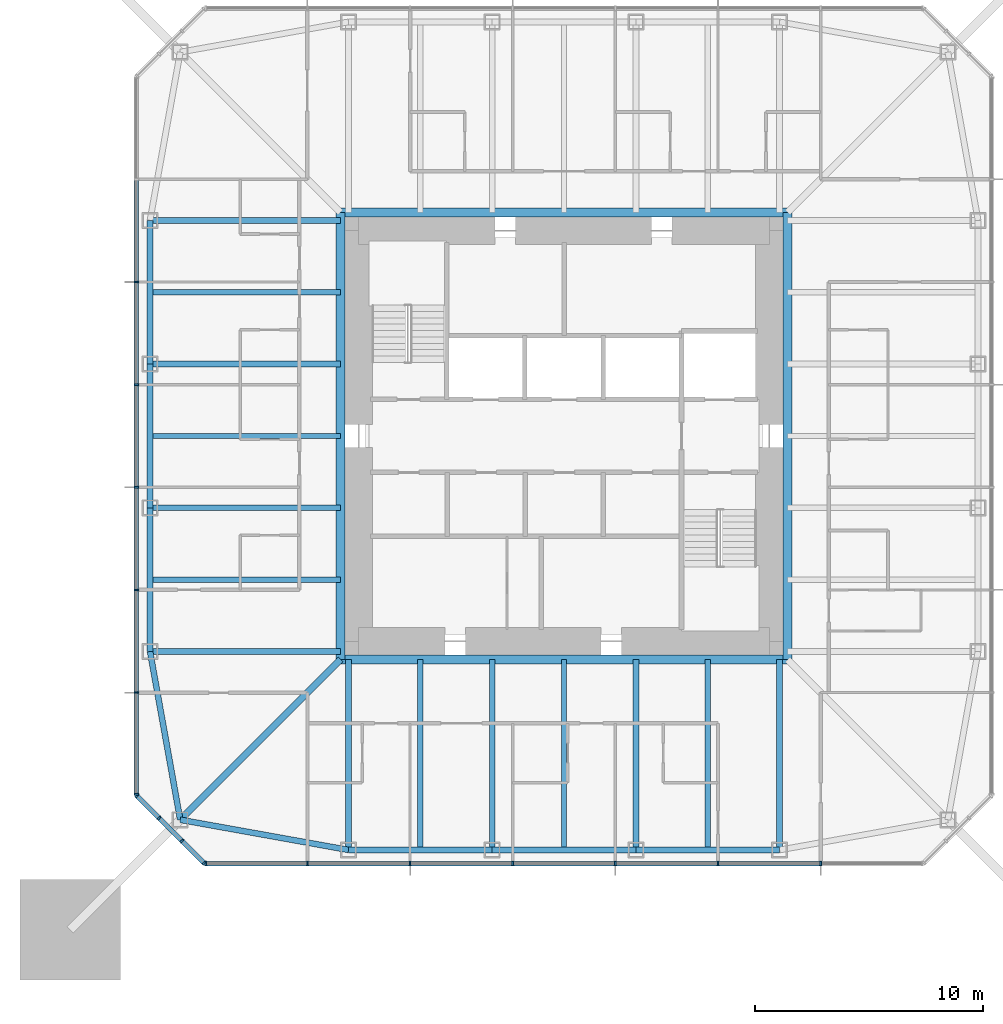
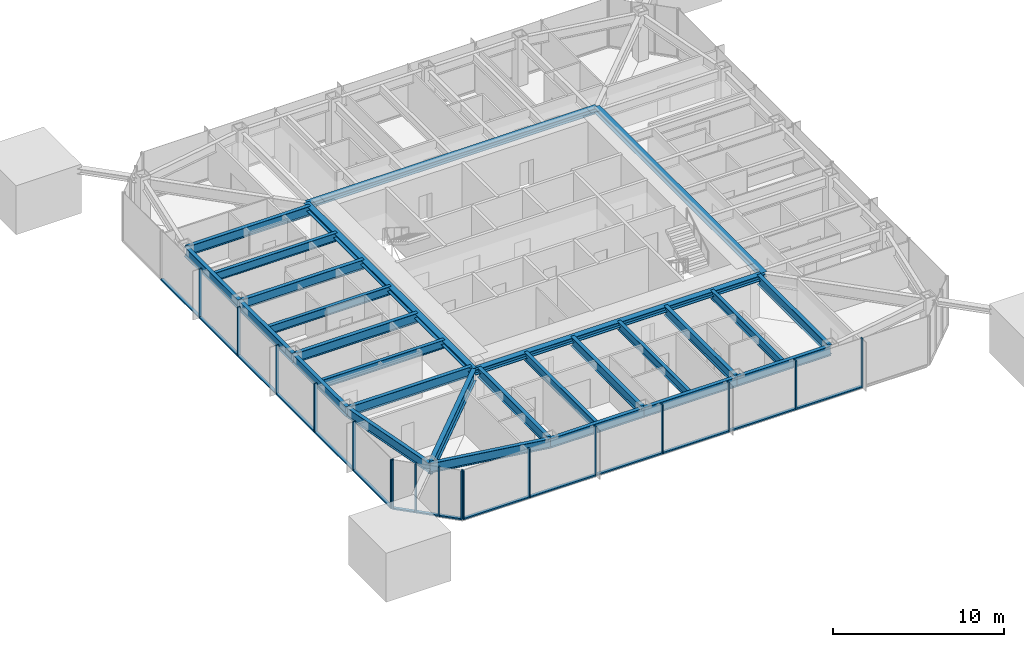
# One storey, part 2 of 11: 32 members, 27 beams, 3 elements without a shape of their own.
"""IFC4 building model written with IfcOpenShell, lengths in metres."""

from ifc_helpers import new_model, si_unit, direction, frame, origin, origin_2d, place, context, subcontext, project, spatial, rectangle, i_section, extrude, material, material_profile, profile_set, type_object, element, aggregate, save


model = new_model("IFC4")

# Units and contexts
model_context = context("Model", 3, precision=1e-05, world=origin(), true_north=direction((0.0, 1.0)))
body_context = subcontext(model_context, "Body", "Model", "MODEL_VIEW")
ifc_project = project(units=[si_unit("LENGTHUNIT", "METRE"), si_unit("AREAUNIT", "SQUARE_METRE"), si_unit("VOLUMEUNIT", "CUBIC_METRE"), si_unit("PLANEANGLEUNIT", "RADIAN"), si_unit("MASSUNIT", "GRAM", prefix="KILO")], contexts=[model_context])

# Site, building, storey
site_placement = place(None, origin())
site = spatial("IfcSite", under=ifc_project, at=site_placement, CompositionType="ELEMENT")
building_placement = place(site_placement, origin())
building = spatial("IfcBuilding", under=site, at=building_placement, Name="Iwan Alto Co-Living Towers", CompositionType="ELEMENT")
storey_placement = place(building_placement, frame((0.0, 0.0, 156.5)))
storey = spatial("IfcBuildingStorey", under=building, at=storey_placement, Name="L42", CompositionType="ELEMENT", Elevation=156.5)

# Curtain wall, members
ifc_material_1 = material(Name="Bronze aluminium unitised frame", Category="aluminium")
curtain_wall_type_1 = type_object("IfcCurtainWallType", Name="CURTAIN WALL CW-A", PredefinedType="NOTDEFINED", material=ifc_material_1)
curtain_wall_1_placement = place(storey_placement, origin())
curtain_wall_1 = element("IfcCurtainWall", 1, at=curtain_wall_1_placement, inside=storey, type_object=curtain_wall_type_1, Name="T1 curtain wall S L42", PredefinedType="NOTDEFINED")
ifc_material_2 = material(Name="Aluminium 6063-T6 bronze anodised", Category="aluminium")
ifc_material_profile_1 = material_profile(ifc_material_2, rectangle(XDim=0.199951171875, YDim=0.080078125, at=origin_2d()), Name="AL 80X200")
ifc_profile_set_1 = profile_set([ifc_material_profile_1], Name="Aluminium 6063-T6 bronze anodised")
member_type_1 = type_object("IfcMemberType", Name="CW-A MULLION 80X200", PredefinedType="MULLION", material=ifc_profile_set_1)
member_1_placement = place(storey_placement, frame((-15.7099609375, -18.75, 0.0), z_axis=(0.0, 0.0, 1.0), x_axis=(0.0, 1.0, 0.0)))
member_1 = element("IfcMember", 2, at=member_1_placement, type_object=member_type_1, Name="CW-A mullion 1", PredefinedType="MULLION", context=body_context, shape_type="SweptSolid", body=[
    extrude(rectangle(XDim=0.199951171875, YDim=0.080078125, at=origin_2d()), origin(), (0.0, 0.0, 1.0), 3.5),
])
member_2_placement = place(storey_placement, frame((-11.25, -18.75, 0.0), z_axis=(0.0, 0.0, 1.0), x_axis=(0.0, 1.0, 0.0)))
member_2 = element("IfcMember", 3, at=member_2_placement, type_object=member_type_1, Name="CW-A mullion 2", PredefinedType="MULLION", context=body_context, shape_type="SweptSolid", body=[
    extrude(rectangle(XDim=0.199951171875, YDim=0.080078125, at=origin_2d()), origin(), (0.0, 0.0, 1.0), 3.5),
])
member_3_placement = place(storey_placement, frame((-6.75, -18.75, 0.0), z_axis=(0.0, 0.0, 1.0), x_axis=(0.0, 1.0, 0.0)))
member_3 = element("IfcMember", 4, at=member_3_placement, type_object=member_type_1, Name="CW-A mullion 3", PredefinedType="MULLION", context=body_context, shape_type="SweptSolid", body=[
    extrude(rectangle(XDim=0.199951171875, YDim=0.080078125, at=origin_2d()), origin(), (0.0, 0.0, 1.0), 3.5),
])
member_4_placement = place(storey_placement, frame((-2.25, -18.75, 0.0), z_axis=(0.0, 0.0, 1.0), x_axis=(0.0, 1.0, 0.0)))
member_4 = element("IfcMember", 5, at=member_4_placement, type_object=member_type_1, Name="CW-A mullion 4", PredefinedType="MULLION", context=body_context, shape_type="SweptSolid", body=[
    extrude(rectangle(XDim=0.199951171875, YDim=0.080078125, at=origin_2d()), origin(), (0.0, 0.0, 1.0), 3.5),
])
member_5_placement = place(storey_placement, frame((2.25, -18.75, 0.0), z_axis=(0.0, 0.0, 1.0), x_axis=(0.0, 1.0, 0.0)))
member_5 = element("IfcMember", 6, at=member_5_placement, type_object=member_type_1, Name="CW-A mullion 5", PredefinedType="MULLION", context=body_context, shape_type="SweptSolid", body=[
    extrude(rectangle(XDim=0.199951171875, YDim=0.080078125, at=origin_2d()), origin(), (0.0, 0.0, 1.0), 3.5),
])
member_6_placement = place(storey_placement, frame((6.75, -18.75, 0.0), z_axis=(0.0, 0.0, 1.0), x_axis=(0.0, 1.0, 0.0)))
member_6 = element("IfcMember", 7, at=member_6_placement, type_object=member_type_1, Name="CW-A mullion 6", PredefinedType="MULLION", context=body_context, shape_type="SweptSolid", body=[
    extrude(rectangle(XDim=0.199951171875, YDim=0.080078125, at=origin_2d()), origin(), (0.0, 0.0, 1.0), 3.5),
])
member_7_placement = place(storey_placement, frame((11.25, -18.75, 0.0), z_axis=(0.0, 0.0, 1.0), x_axis=(0.0, 1.0, 0.0)))
member_7 = element("IfcMember", 8, at=member_7_placement, type_object=member_type_1, Name="CW-A mullion 7", PredefinedType="MULLION", context=body_context, shape_type="SweptSolid", body=[
    extrude(rectangle(XDim=0.199951171875, YDim=0.080078125, at=origin_2d()), origin(), (0.0, 0.0, 1.0), 3.5),
])

curtain_wall_2_placement = place(storey_placement, origin())
curtain_wall_2 = element("IfcCurtainWall", 9, at=curtain_wall_2_placement, inside=storey, type_object=curtain_wall_type_1, Name="T1 curtain wall W L42", PredefinedType="NOTDEFINED")
member_8_placement = place(storey_placement, frame((-18.75, 6.75, 0.0), z_axis=(0.0, 0.0, 1.0), x_axis=(1.0, 0.0, 0.0)))
member_8 = element("IfcMember", 10, at=member_8_placement, type_object=member_type_1, Name="CW-A mullion 3", PredefinedType="MULLION", context=body_context, shape_type="SweptSolid", body=[
    extrude(rectangle(XDim=0.199951171875, YDim=0.080078125, at=origin_2d()), origin(), (0.0, 0.0, 1.0), 3.5),
])
member_9_placement = place(storey_placement, frame((-18.75, 2.25, 0.0), z_axis=(0.0, 0.0, 1.0), x_axis=(1.0, 0.0, 0.0)))
member_9 = element("IfcMember", 11, at=member_9_placement, type_object=member_type_1, Name="CW-A mullion 4", PredefinedType="MULLION", context=body_context, shape_type="SweptSolid", body=[
    extrude(rectangle(XDim=0.199951171875, YDim=0.080078125, at=origin_2d()), origin(), (0.0, 0.0, 1.0), 3.5),
])
member_10_placement = place(storey_placement, frame((-18.75, -2.25, 0.0), z_axis=(0.0, 0.0, 1.0), x_axis=(1.0, 0.0, 0.0)))
member_10 = element("IfcMember", 12, at=member_10_placement, type_object=member_type_1, Name="CW-A mullion 5", PredefinedType="MULLION", context=body_context, shape_type="SweptSolid", body=[
    extrude(rectangle(XDim=0.199951171875, YDim=0.080078125, at=origin_2d()), origin(), (0.0, 0.0, 1.0), 3.5),
])
member_11_placement = place(storey_placement, frame((-18.75, -6.75, 0.0), z_axis=(0.0, 0.0, 1.0), x_axis=(1.0, 0.0, 0.0)))
member_11 = element("IfcMember", 13, at=member_11_placement, type_object=member_type_1, Name="CW-A mullion 6", PredefinedType="MULLION", context=body_context, shape_type="SweptSolid", body=[
    extrude(rectangle(XDim=0.199951171875, YDim=0.080078125, at=origin_2d()), origin(), (0.0, 0.0, 1.0), 3.5),
])
member_12_placement = place(storey_placement, frame((-18.75, -11.25, 0.0), z_axis=(0.0, 0.0, 1.0), x_axis=(1.0, 0.0, 0.0)))
member_12 = element("IfcMember", 14, at=member_12_placement, type_object=member_type_1, Name="CW-A mullion 7", PredefinedType="MULLION", context=body_context, shape_type="SweptSolid", body=[
    extrude(rectangle(XDim=0.199951171875, YDim=0.080078125, at=origin_2d()), origin(), (0.0, 0.0, 1.0), 3.5),
])
member_13_placement = place(storey_placement, frame((-18.75, -15.7099609375, 0.0), z_axis=(0.0, 0.0, 1.0), x_axis=(1.0, 0.0, 0.0)))
member_13 = element("IfcMember", 15, at=member_13_placement, type_object=member_type_1, Name="CW-A mullion 8", PredefinedType="MULLION", context=body_context, shape_type="SweptSolid", body=[
    extrude(rectangle(XDim=0.199951171875, YDim=0.080078125, at=origin_2d()), origin(), (0.0, 0.0, 1.0), 3.5),
])

# Member
ifc_material_3 = material(Name="Aluminium 6063-T6 bronze anodised", Category="aluminium")
ifc_material_profile_2 = material_profile(ifc_material_3, rectangle(XDim=0.199951171875, YDim=0.10009765625, at=origin_2d()), Name="AL 200X100")
ifc_profile_set_2 = profile_set([ifc_material_profile_2], Name="Aluminium 6063-T6 bronze anodised")
member_type_2 = type_object("IfcMemberType", Name="CW-A TRANSOM 200X100", PredefinedType="USERDEFINED", material=ifc_profile_set_2)
member_14_placement = place(storey_placement, frame((-15.669921875, -18.75, 0.050048828125), z_axis=(1.0, 0.0, 0.0), x_axis=(0.0, 1.0, 0.0)))
member_14 = element("IfcMember", 16, at=member_14_placement, type_object=member_type_2, Name="CW-A transom 1.1", ObjectType="TRANSOM", PredefinedType="USERDEFINED", context=body_context, shape_type="SweptSolid", body=[
    extrude(rectangle(XDim=0.199951171875, YDim=0.10009765625, at=origin_2d()), origin(), (0.0, 0.0, 1.0), 4.3798828125),
])

member_15_placement = place(storey_placement, frame((-11.2099609375, -18.75, 0.050048828125), z_axis=(1.0, 0.0, 0.0), x_axis=(0.0, 1.0, 0.0)))
member_15 = element("IfcMember", 17, at=member_15_placement, type_object=member_type_2, Name="CW-A transom 2.1", ObjectType="TRANSOM", PredefinedType="USERDEFINED", context=body_context, shape_type="SweptSolid", body=[
    extrude(rectangle(XDim=0.199951171875, YDim=0.10009765625, at=origin_2d()), origin(), (0.0, 0.0, 1.0), 4.419921875),
])

member_16_placement = place(storey_placement, frame((-6.7099609375, -18.75, 0.050048828125), z_axis=(1.0, 0.0, 0.0), x_axis=(0.0, 1.0, 0.0)))
member_16 = element("IfcMember", 18, at=member_16_placement, type_object=member_type_2, Name="CW-A transom 3.1", ObjectType="TRANSOM", PredefinedType="USERDEFINED", context=body_context, shape_type="SweptSolid", body=[
    extrude(rectangle(XDim=0.199951171875, YDim=0.10009765625, at=origin_2d()), origin(), (0.0, 0.0, 1.0), 4.419921875),
])

member_17_placement = place(storey_placement, frame((-2.2099609375, -18.75, 0.050048828125), z_axis=(1.0, 0.0, 0.0), x_axis=(0.0, 1.0, 0.0)))
member_17 = element("IfcMember", 19, at=member_17_placement, type_object=member_type_2, Name="CW-A transom 4.1", ObjectType="TRANSOM", PredefinedType="USERDEFINED", context=body_context, shape_type="SweptSolid", body=[
    extrude(rectangle(XDim=0.199951171875, YDim=0.10009765625, at=origin_2d()), origin(), (0.0, 0.0, 1.0), 4.419921875),
])

member_18_placement = place(storey_placement, frame((2.2900390625, -18.75, 0.050048828125), z_axis=(1.0, 0.0, 0.0), x_axis=(0.0, 1.0, 0.0)))
member_18 = element("IfcMember", 20, at=member_18_placement, type_object=member_type_2, Name="CW-A transom 5.1", ObjectType="TRANSOM", PredefinedType="USERDEFINED", context=body_context, shape_type="SweptSolid", body=[
    extrude(rectangle(XDim=0.199951171875, YDim=0.10009765625, at=origin_2d()), origin(), (0.0, 0.0, 1.0), 4.419921875),
])

member_19_placement = place(storey_placement, frame((6.7900390625, -18.75, 0.050048828125), z_axis=(1.0, 0.0, 0.0), x_axis=(0.0, 1.0, 0.0)))
member_19 = element("IfcMember", 21, at=member_19_placement, type_object=member_type_2, Name="CW-A transom 6.1", ObjectType="TRANSOM", PredefinedType="USERDEFINED", context=body_context, shape_type="SweptSolid", body=[
    extrude(rectangle(XDim=0.199951171875, YDim=0.10009765625, at=origin_2d()), origin(), (0.0, 0.0, 1.0), 4.419921875),
])

aggregate(curtain_wall_1, [member_1, member_2, member_3, member_4, member_5, member_6, member_7, member_14, member_15, member_16, member_17, member_18, member_19])

member_20_placement = place(storey_placement, frame((-18.75, 11.2099609375, 0.050048828125), z_axis=(0.0, -1.0, 0.0), x_axis=(1.0, 0.0, 0.0)))
member_20 = element("IfcMember", 22, at=member_20_placement, type_object=member_type_2, Name="CW-A transom 2.1", ObjectType="TRANSOM", PredefinedType="USERDEFINED", context=body_context, shape_type="SweptSolid", body=[
    extrude(rectangle(XDim=0.199951171875, YDim=0.10009765625, at=origin_2d()), origin(), (0.0, 0.0, 1.0), 4.419921875),
])

member_21_placement = place(storey_placement, frame((-18.75, 6.7099609375, 0.050048828125), z_axis=(0.0, -1.0, 0.0), x_axis=(1.0, 0.0, 0.0)))
member_21 = element("IfcMember", 23, at=member_21_placement, type_object=member_type_2, Name="CW-A transom 3.1", ObjectType="TRANSOM", PredefinedType="USERDEFINED", context=body_context, shape_type="SweptSolid", body=[
    extrude(rectangle(XDim=0.199951171875, YDim=0.10009765625, at=origin_2d()), origin(), (0.0, 0.0, 1.0), 4.419921875),
])

member_22_placement = place(storey_placement, frame((-18.75, 2.2099609375, 0.050048828125), z_axis=(0.0, -1.0, 0.0), x_axis=(1.0, 0.0, 0.0)))
member_22 = element("IfcMember", 24, at=member_22_placement, type_object=member_type_2, Name="CW-A transom 4.1", ObjectType="TRANSOM", PredefinedType="USERDEFINED", context=body_context, shape_type="SweptSolid", body=[
    extrude(rectangle(XDim=0.199951171875, YDim=0.10009765625, at=origin_2d()), origin(), (0.0, 0.0, 1.0), 4.419921875),
])

member_23_placement = place(storey_placement, frame((-18.75, -2.2900390625, 0.050048828125), z_axis=(0.0, -1.0, 0.0), x_axis=(1.0, 0.0, 0.0)))
member_23 = element("IfcMember", 25, at=member_23_placement, type_object=member_type_2, Name="CW-A transom 5.1", ObjectType="TRANSOM", PredefinedType="USERDEFINED", context=body_context, shape_type="SweptSolid", body=[
    extrude(rectangle(XDim=0.199951171875, YDim=0.10009765625, at=origin_2d()), origin(), (0.0, 0.0, 1.0), 4.419921875),
])

member_24_placement = place(storey_placement, frame((-18.75, -6.7900390625, 0.050048828125), z_axis=(0.0, -1.0, 0.0), x_axis=(1.0, 0.0, 0.0)))
member_24 = element("IfcMember", 26, at=member_24_placement, type_object=member_type_2, Name="CW-A transom 6.1", ObjectType="TRANSOM", PredefinedType="USERDEFINED", context=body_context, shape_type="SweptSolid", body=[
    extrude(rectangle(XDim=0.199951171875, YDim=0.10009765625, at=origin_2d()), origin(), (0.0, 0.0, 1.0), 4.419921875),
])

member_25_placement = place(storey_placement, frame((-18.75, -11.2900390625, 0.050048828125), z_axis=(0.0, -1.0, 0.0), x_axis=(1.0, 0.0, 0.0)))
member_25 = element("IfcMember", 27, at=member_25_placement, type_object=member_type_2, Name="CW-A transom 7.1", ObjectType="TRANSOM", PredefinedType="USERDEFINED", context=body_context, shape_type="SweptSolid", body=[
    extrude(rectangle(XDim=0.199951171875, YDim=0.10009765625, at=origin_2d()), origin(), (0.0, 0.0, 1.0), 4.3798828125),
])

aggregate(curtain_wall_2, [member_8, member_9, member_10, member_11, member_12, member_13, member_20, member_21, member_22, member_23, member_24, member_25])

# Curtain wall, members
ifc_material_4 = material(Name="Bronze aluminium unitised frame", Category="aluminium")
curtain_wall_type_2 = type_object("IfcCurtainWallType", Name="CURTAIN WALL CW-B", PredefinedType="NOTDEFINED", material=ifc_material_4)
curtain_wall_3_placement = place(storey_placement, origin())
curtain_wall_3 = element("IfcCurtainWall", 28, at=curtain_wall_3_placement, inside=storey, type_object=curtain_wall_type_2, Name="T1 chamfer curtain wall SW L42", PredefinedType="NOTDEFINED")
ifc_material_5 = material(Name="Aluminium 6063-T6 bronze anodised", Category="aluminium")
ifc_material_profile_3 = material_profile(ifc_material_5, rectangle(XDim=0.199951171875, YDim=0.080078125, at=origin_2d()), Name="AL 80X200")
ifc_profile_set_3 = profile_set([ifc_material_profile_3], Name="Aluminium 6063-T6 bronze anodised")
member_type_3 = type_object("IfcMemberType", Name="CW-B MULLION 80X200", PredefinedType="MULLION", material=ifc_profile_set_3)
member_26_placement = place(storey_placement, frame((-18.7216796875, -15.7783203125, 0.0), z_axis=(0.0, 0.0, 1.0), x_axis=(0.707106781187, 0.707106781187, 0.0)))
member_26 = element("IfcMember", 29, at=member_26_placement, type_object=member_type_3, Name="CW-B mullion 1", PredefinedType="MULLION", context=body_context, shape_type="SweptSolid", body=[
    extrude(rectangle(XDim=0.199951171875, YDim=0.080078125, at=origin_2d()), origin(), (0.0, 0.0, 1.0), 3.5),
])
member_27_placement = place(storey_placement, frame((-17.75, -16.75, 0.0), z_axis=(0.0, 0.0, 1.0), x_axis=(0.707106781187, 0.707106781187, 0.0)))
member_27 = element("IfcMember", 30, at=member_27_placement, type_object=member_type_3, Name="CW-B mullion 2", PredefinedType="MULLION", context=body_context, shape_type="SweptSolid", body=[
    extrude(rectangle(XDim=0.199951171875, YDim=0.080078125, at=origin_2d()), origin(), (0.0, 0.0, 1.0), 3.5),
])
member_28_placement = place(storey_placement, frame((-16.75, -17.75, 0.0), z_axis=(0.0, 0.0, 1.0), x_axis=(0.707106781187, 0.707106781187, 0.0)))
member_28 = element("IfcMember", 31, at=member_28_placement, type_object=member_type_3, Name="CW-B mullion 3", PredefinedType="MULLION", context=body_context, shape_type="SweptSolid", body=[
    extrude(rectangle(XDim=0.199951171875, YDim=0.080078125, at=origin_2d()), origin(), (0.0, 0.0, 1.0), 3.5),
])
member_29_placement = place(storey_placement, frame((-15.7783203125, -18.7216796875, 0.0), z_axis=(0.0, 0.0, 1.0), x_axis=(0.707106781187, 0.707106781187, 0.0)))
member_29 = element("IfcMember", 32, at=member_29_placement, type_object=member_type_3, Name="CW-B mullion 4", PredefinedType="MULLION", context=body_context, shape_type="SweptSolid", body=[
    extrude(rectangle(XDim=0.199951171875, YDim=0.080078125, at=origin_2d()), origin(), (0.0, 0.0, 1.0), 3.5),
])
ifc_material_6 = material(Name="Aluminium 6063-T6 bronze anodised", Category="aluminium")
ifc_material_profile_4 = material_profile(ifc_material_6, rectangle(XDim=0.199951171875, YDim=0.10009765625, at=origin_2d()), Name="AL 200X100")
ifc_profile_set_4 = profile_set([ifc_material_profile_4], Name="Aluminium 6063-T6 bronze anodised")
member_type_4 = type_object("IfcMemberType", Name="CW-B TRANSOM 200X100", PredefinedType="USERDEFINED", material=ifc_profile_set_4)
member_30_placement = place(storey_placement, frame((-18.693359375, -15.806640625, 0.050048828125), z_axis=(0.707106781187, -0.707106781187, 0.0), x_axis=(0.707106781187, 0.707106781187, 0.0)))
member_30 = element("IfcMember", 33, at=member_30_placement, type_object=member_type_4, Name="CW-B transom 1.1", ObjectType="TRANSOM", PredefinedType="USERDEFINED", context=body_context, shape_type="SweptSolid", body=[
    extrude(rectangle(XDim=0.199951171875, YDim=0.10009765625, at=origin_2d()), origin(), (0.0, 0.0, 1.0), 1.2939453125),
])
member_31_placement = place(storey_placement, frame((-17.7216796875, -16.7783203125, 0.050048828125), z_axis=(0.707106781187, -0.707106781187, 0.0), x_axis=(0.707106781187, 0.707106781187, 0.0)))
member_31 = element("IfcMember", 34, at=member_31_placement, type_object=member_type_4, Name="CW-B transom 2.1", ObjectType="TRANSOM", PredefinedType="USERDEFINED", context=body_context, shape_type="SweptSolid", body=[
    extrude(rectangle(XDim=0.199951171875, YDim=0.10009765625, at=origin_2d()), origin(), (0.0, 0.0, 1.0), 1.334228515625),
])
member_32_placement = place(storey_placement, frame((-16.7216796875, -17.7783203125, 0.050048828125), z_axis=(0.707106781187, -0.707106781187, 0.0), x_axis=(0.707106781187, 0.707106781187, 0.0)))
member_32 = element("IfcMember", 35, at=member_32_placement, type_object=member_type_4, Name="CW-B transom 3.1", ObjectType="TRANSOM", PredefinedType="USERDEFINED", context=body_context, shape_type="SweptSolid", body=[
    extrude(rectangle(XDim=0.199951171875, YDim=0.10009765625, at=origin_2d()), origin(), (0.0, 0.0, 1.0), 1.2939453125),
])
aggregate(curtain_wall_3, [member_26, member_27, member_28, member_29, member_30, member_31, member_32])

# Beams
ifc_material_7 = material(Name="Steel ASTM A992 Gr 50", Category="steel")
ifc_material_profile_5 = material_profile(ifc_material_7, i_section(OverallWidth=0.398681640625, OverallDepth=0.385986328125, WebThickness=0.02099609375, FlangeThickness=0.033203125, at=origin_2d()), Name="W14X176")
ifc_profile_set_5 = profile_set([ifc_material_profile_5], Name="Steel ASTM A992 Gr 50")
beam_type_1 = type_object("IfcBeamType", Name="T1 CORE LEDGER BEAM W14X176", PredefinedType="BEAM", material=ifc_profile_set_5)
for number, where, z_axis, x_axis, name in (
    (36, (-9.79931640625, -9.79931640625, 3.076904296875), (1.0, 0.0, 0.0), (0.0, 1.0, 0.0), "T1 core ledger beam S L43"),
    (37, (9.79931640625, -9.79931640625, 3.076904296875), (0.0, 1.0, 0.0), (-1.0, 0.0, 0.0), "T1 core ledger beam E L43"),
    (38, (9.79931640625, 9.79931640625, 3.076904296875), (-1.0, 0.0, 0.0), (0.0, -1.0, 0.0), "T1 core ledger beam N L43"),
    (39, (-9.79931640625, 9.79931640625, 3.076904296875), (0.0, -1.0, 0.0), (1.0, 0.0, 0.0), "T1 core ledger beam W L43"),
):
    element("IfcBeam", number, at=place(storey_placement, frame(where, z_axis=z_axis, x_axis=x_axis)), inside=storey, type_object=beam_type_1, Name=name, PredefinedType="BEAM", context=body_context, shape_type="SweptSolid", body=[
        extrude(i_section(OverallWidth=0.398681640625, OverallDepth=0.385986328125, WebThickness=0.02099609375, FlangeThickness=0.033203125, at=origin_2d()), origin(), (0.0, 0.0, 1.0), 19.5986328125),
    ])
ifc_material_8 = material(Name="Steel ASTM A992 Gr 50", Category="steel")
ifc_material_profile_6 = material_profile(ifc_material_8, i_section(OverallWidth=0.2919921875, OverallDepth=0.8408203125, WebThickness=0.0146484375, FlangeThickness=0.021728515625, at=origin_2d()), Name="W33X130")
ifc_profile_set_6 = profile_set([ifc_material_profile_6], Name="Steel ASTM A992 Gr 50")
beam_type_2 = type_object("IfcBeamType", Name="T1 CORNER GIRDER W33X130", PredefinedType="BEAM", material=ifc_profile_set_6)
beam_1_placement = place(storey_placement, frame((-16.82568359375, -16.82568359375, 2.849609375), z_axis=(0.707106781187, 0.707106781187, 0.0), x_axis=(-0.707106781187, 0.707106781187, 0.0)))
element("IfcBeam", 40, at=beam_1_placement, inside=storey, type_object=beam_type_2, Name="T1 corner girder CSW L43", PredefinedType="BEAM", context=body_context, shape_type="SweptSolid", body=[
    extrude(i_section(OverallWidth=0.2919921875, OverallDepth=0.8408203125, WebThickness=0.0146484375, FlangeThickness=0.021728515625, at=origin_2d()), origin(), (0.0, 0.0, 1.0), 9.936767578125),
])
ifc_material_9 = material(Name="Steel ASTM A992 Gr 50", Category="steel")
ifc_material_profile_7 = material_profile(ifc_material_9, i_section(OverallWidth=0.25390625, OverallDepth=0.683349609375, WebThickness=0.012451171875, FlangeThickness=0.018798828125, at=origin_2d()), Name="W27X94")
ifc_profile_set_7 = profile_set([ifc_material_profile_7], Name="Steel ASTM A992 Gr 50")
beam_type_3 = type_object("IfcBeamType", Name="T1 EDGE BEAM W27X94", PredefinedType="BEAM", material=ifc_profile_set_7)
beam_2_placement = place(storey_placement, frame((-16.82568359375, -16.82568359375, 2.928466796875), z_axis=(0.98426263553, -0.17671181143, 0.0), x_axis=(0.17671181143, 0.98426263553, 0.0)))
element("IfcBeam", 41, at=beam_2_placement, inside=storey, type_object=beam_type_3, Name="T1 edge beam CSW L43", PredefinedType="BEAM", context=body_context, shape_type="SweptSolid", body=[
    extrude(i_section(OverallWidth=0.25390625, OverallDepth=0.683349609375, WebThickness=0.012451171875, FlangeThickness=0.018798828125, at=origin_2d()), origin(), (0.0, 0.0, 1.0), 7.49365234375),
])
beam_3_placement = place(storey_placement, frame((-9.449951171875, -18.14990234375, 2.928466796875), z_axis=(1.0, 0.0, 0.0), x_axis=(0.0, 1.0, 0.0)))
element("IfcBeam", 42, at=beam_3_placement, inside=storey, type_object=beam_type_3, Name="T1 edge beam S1 L43", PredefinedType="BEAM", context=body_context, shape_type="SweptSolid", body=[
    extrude(i_section(OverallWidth=0.25390625, OverallDepth=0.683349609375, WebThickness=0.012451171875, FlangeThickness=0.018798828125, at=origin_2d()), origin(), (0.0, 0.0, 1.0), 6.300048828125),
])
beam_4_placement = place(storey_placement, frame((-3.14990234375, -18.14990234375, 2.928466796875), z_axis=(1.0, 0.0, 0.0), x_axis=(0.0, 1.0, 0.0)))
element("IfcBeam", 43, at=beam_4_placement, inside=storey, type_object=beam_type_3, Name="T1 edge beam S2 L43", PredefinedType="BEAM", context=body_context, shape_type="SweptSolid", body=[
    extrude(i_section(OverallWidth=0.25390625, OverallDepth=0.683349609375, WebThickness=0.012451171875, FlangeThickness=0.018798828125, at=origin_2d()), origin(), (0.0, 0.0, 1.0), 6.2998046875),
])
for number, where, z_axis, x_axis, name in (
    (44, (3.14990234375, -18.14990234375, 2.928466796875), (1.0, 0.0, 0.0), (0.0, 1.0, 0.0), "T1 edge beam S3 L43"),
    (45, (-18.14990234375, 9.449951171875, 2.928466796875), (0.0, -1.0, 0.0), (1.0, 0.0, 0.0), "T1 edge beam W1 L43"),
):
    element("IfcBeam", number, at=place(storey_placement, frame(where, z_axis=z_axis, x_axis=x_axis)), inside=storey, type_object=beam_type_3, Name=name, PredefinedType="BEAM", context=body_context, shape_type="SweptSolid", body=[
        extrude(i_section(OverallWidth=0.25390625, OverallDepth=0.683349609375, WebThickness=0.012451171875, FlangeThickness=0.018798828125, at=origin_2d()), origin(), (0.0, 0.0, 1.0), 6.300048828125),
    ])
beam_5_placement = place(storey_placement, frame((-18.14990234375, 3.14990234375, 2.928466796875), z_axis=(0.0, -1.0, 0.0), x_axis=(1.0, 0.0, 0.0)))
element("IfcBeam", 46, at=beam_5_placement, inside=storey, type_object=beam_type_3, Name="T1 edge beam W2 L43", PredefinedType="BEAM", context=body_context, shape_type="SweptSolid", body=[
    extrude(i_section(OverallWidth=0.25390625, OverallDepth=0.683349609375, WebThickness=0.012451171875, FlangeThickness=0.018798828125, at=origin_2d()), origin(), (0.0, 0.0, 1.0), 6.2998046875),
])
beam_6_placement = place(storey_placement, frame((-18.14990234375, -3.14990234375, 2.928466796875), z_axis=(0.0, -1.0, 0.0), x_axis=(1.0, 0.0, 0.0)))
element("IfcBeam", 47, at=beam_6_placement, inside=storey, type_object=beam_type_3, Name="T1 edge beam W3 L43", PredefinedType="BEAM", context=body_context, shape_type="SweptSolid", body=[
    extrude(i_section(OverallWidth=0.25390625, OverallDepth=0.683349609375, WebThickness=0.012451171875, FlangeThickness=0.018798828125, at=origin_2d()), origin(), (0.0, 0.0, 1.0), 6.300048828125),
])
beam_7_placement = place(storey_placement, frame((-18.14990234375, -9.449951171875, 2.928466796875), z_axis=(0.17671181143, -0.98426263553, 0.0), x_axis=(0.98426263553, 0.17671181143, 0.0)))
element("IfcBeam", 48, at=beam_7_placement, inside=storey, type_object=beam_type_3, Name="T1 edge beam W4 L43", PredefinedType="BEAM", context=body_context, shape_type="SweptSolid", body=[
    extrude(i_section(OverallWidth=0.25390625, OverallDepth=0.683349609375, WebThickness=0.012451171875, FlangeThickness=0.018798828125, at=origin_2d()), origin(), (0.0, 0.0, 1.0), 7.49365234375),
])
ifc_material_10 = material(Name="Steel ASTM A992 Gr 50", Category="steel")
ifc_material_profile_8 = material_profile(ifc_material_10, i_section(OverallWidth=0.25390625, OverallDepth=0.683349609375, WebThickness=0.012451171875, FlangeThickness=0.018798828125, at=origin_2d()), Name="W27X94")
ifc_profile_set_8 = profile_set([ifc_material_profile_8], Name="Steel ASTM A992 Gr 50")
beam_type_4 = type_object("IfcBeamType", Name="T1 RADIAL BEAM W27X94", PredefinedType="BEAM", material=ifc_profile_set_8)
for number, where, z_axis, x_axis, name in (
    (49, (-9.449951171875, -18.14990234375, 2.928466796875), (0.0, 1.0, 0.0), (-1.0, 0.0, 0.0), "T1 radial beam S1 L43"),
    (50, (-3.14990234375, -18.14990234375, 2.928466796875), (0.0, 1.0, 0.0), (-1.0, 0.0, 0.0), "T1 radial beam S2 L43"),
    (51, (3.14990234375, -18.14990234375, 2.928466796875), (0.0, 1.0, 0.0), (-1.0, 0.0, 0.0), "T1 radial beam S3 L43"),
    (52, (9.449951171875, -18.14990234375, 2.928466796875), (0.0, 1.0, 0.0), (-1.0, 0.0, 0.0), "T1 radial beam S4 L43"),
    (53, (-18.14990234375, 9.449951171875, 2.928466796875), (1.0, 0.0, 0.0), (0.0, 1.0, 0.0), "T1 radial beam W1 L43"),
    (54, (-18.14990234375, 3.14990234375, 2.928466796875), (1.0, 0.0, 0.0), (0.0, 1.0, 0.0), "T1 radial beam W2 L43"),
    (55, (-18.14990234375, -3.14990234375, 2.928466796875), (1.0, 0.0, 0.0), (0.0, 1.0, 0.0), "T1 radial beam W3 L43"),
    (56, (-18.14990234375, -9.449951171875, 2.928466796875), (1.0, 0.0, 0.0), (0.0, 1.0, 0.0), "T1 radial beam W4 L43"),
):
    element("IfcBeam", number, at=place(storey_placement, frame(where, z_axis=z_axis, x_axis=x_axis)), inside=storey, type_object=beam_type_4, Name=name, PredefinedType="BEAM", context=body_context, shape_type="SweptSolid", body=[
        extrude(i_section(OverallWidth=0.25390625, OverallDepth=0.683349609375, WebThickness=0.012451171875, FlangeThickness=0.018798828125, at=origin_2d()), origin(), (0.0, 0.0, 1.0), 8.3505859375),
    ])
ifc_material_11 = material(Name="Steel ASTM A992 Gr 50", Category="steel")
ifc_material_profile_9 = material_profile(ifc_material_11, i_section(OverallWidth=0.228271484375, OverallDepth=0.607177734375, WebThickness=0.01123046875, FlangeThickness=0.017333984375, at=origin_2d()), Name="W24X76")
ifc_profile_set_9 = profile_set([ifc_material_profile_9], Name="Steel ASTM A992 Gr 50")
beam_type_5 = type_object("IfcBeamType", Name="T1 SECONDARY BEAM W24X76", PredefinedType="JOIST", material=ifc_profile_set_9)
for number, where, z_axis, x_axis, name in (
    (57, (-6.300048828125, -18.14990234375, 2.966552734375), (0.0, 1.0, 0.0), (-1.0, 0.0, 0.0), "T1 secondary beam S1 L43"),
    (58, (0.0, -18.14990234375, 2.966552734375), (0.0, 1.0, 0.0), (-1.0, 0.0, 0.0), "T1 secondary beam S2 L43"),
    (59, (6.300048828125, -18.14990234375, 2.966552734375), (0.0, 1.0, 0.0), (-1.0, 0.0, 0.0), "T1 secondary beam S3 L43"),
    (60, (-18.14990234375, 6.300048828125, 2.966552734375), (1.0, 0.0, 0.0), (0.0, 1.0, 0.0), "T1 secondary beam W1 L43"),
    (61, (-18.14990234375, 0.0, 2.966552734375), (1.0, 0.0, 0.0), (0.0, 1.0, 0.0), "T1 secondary beam W2 L43"),
    (62, (-18.14990234375, -6.300048828125, 2.966552734375), (1.0, 0.0, 0.0), (0.0, 1.0, 0.0), "T1 secondary beam W3 L43"),
):
    element("IfcBeam", number, at=place(storey_placement, frame(where, z_axis=z_axis, x_axis=x_axis)), inside=storey, type_object=beam_type_5, Name=name, PredefinedType="JOIST", context=body_context, shape_type="SweptSolid", body=[
        extrude(i_section(OverallWidth=0.228271484375, OverallDepth=0.607177734375, WebThickness=0.01123046875, FlangeThickness=0.017333984375, at=origin_2d()), origin(), (0.0, 0.0, 1.0), 8.3505859375),
    ])

save(model, "model.ifc")
